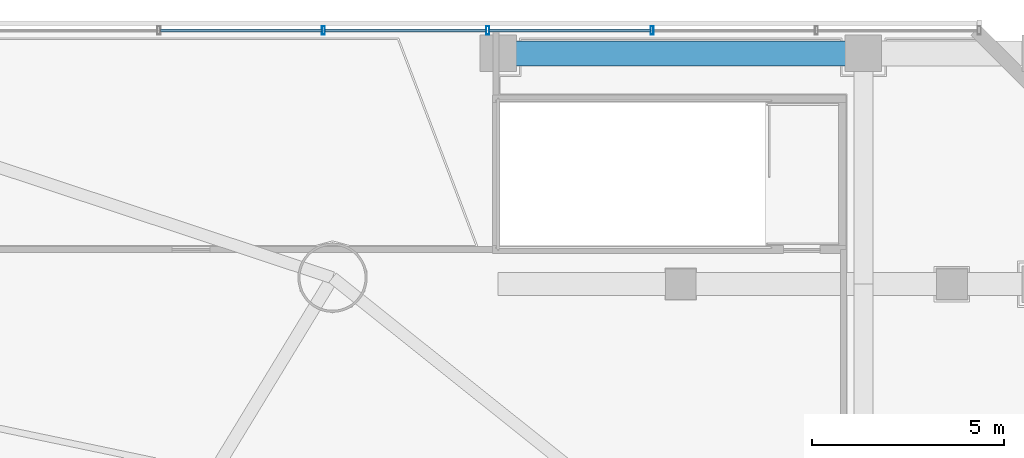
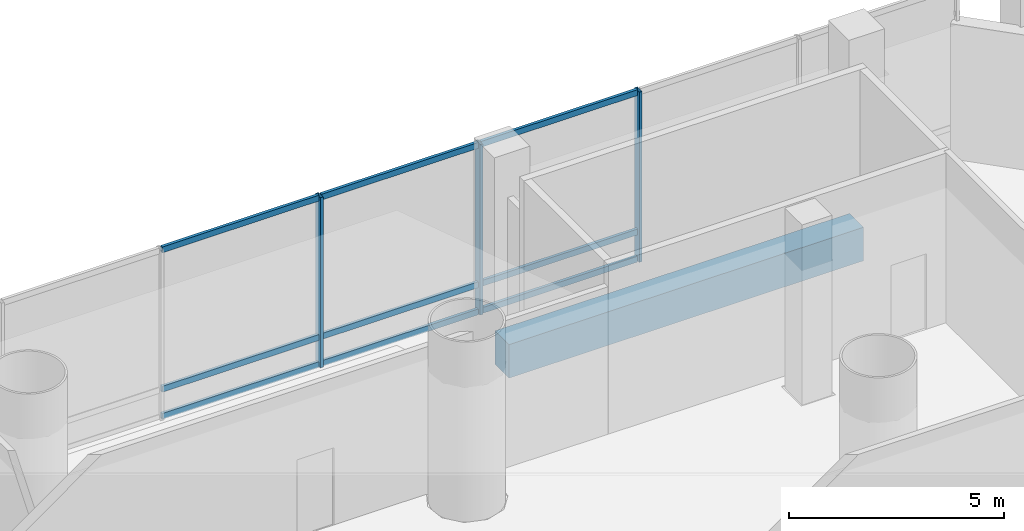
# One storey, part 15 of 31: 12 members, 1 beam, 1 element without a shape of its own.
"""IFC4 building model written with IfcOpenShell, lengths in metres."""

import ifcopenshell
import ifcopenshell.guid

model = None  # the IFC model being written
_history = None  # IfcOwnerHistory: only IFC2X3 demands one
_inside = {}  # id of a spatial element -> (the spatial element, [elements in it])
_under = {}  # id of a project, library or spatial element -> (it, [spatial elements below it])
_declared = {}  # id of a project -> (the project, [libraries it declares])
_typed = {}  # id of a type object -> (the type object, [elements of that type])
_made_of = {}  # id of a material, layer set ... -> (it, [elements and type objects made of it])


def new_model(schema):
    """Start an empty IFC model of exactly this schema.

    Asked for "IFC4X3", IfcOpenShell would pick the latest addendum, in which some entities
    have other attributes; the version numbers below select the first issue.
    IFC2X3 requires an IfcOwnerHistory on every rooted entity: one is made here for all.
    """
    global model, _history
    if schema == "IFC4X3":
        model = ifcopenshell.file(schema_version=(4, 3, 0, 0))
    else:
        model = ifcopenshell.file(schema=schema)
    _inside.clear()
    _under.clear()
    _declared.clear()
    _typed.clear()
    _made_of.clear()
    _history = None
    if model.schema == "IFC2X3":
        org = make("IfcOrganization", Name="unknown")
        user = make(
            "IfcPersonAndOrganization",
            ThePerson=make("IfcPerson", FamilyName="unknown"),
            TheOrganization=org,
        )
        app = make(
            "IfcApplication",
            ApplicationDeveloper=org,
            Version="unknown",
            ApplicationFullName="unknown",
            ApplicationIdentifier="unknown",
        )
        _history = make(
            "IfcOwnerHistory",
            OwningUser=user,
            OwningApplication=app,
            ChangeAction="ADDED",
            CreationDate=0,
        )
    return model


def make(cls, **values):
    """One entity of the class cls with the attributes given. An attribute that is None is left unset."""
    return model.create_entity(
        cls, **{name: value for name, value in values.items() if value is not None}
    )


def rooted(cls, **values):
    """An entity with a GlobalId (a new one), such as an element, a storey or a relation."""
    return make(cls, GlobalId=ifcopenshell.guid.new(), OwnerHistory=_history, **values)


def si_unit(unit_type, name, prefix=None):
    """IfcSIUnit, for example si_unit("LENGTHUNIT", "METRE", prefix="MILLI")."""
    return make("IfcSIUnit", UnitType=unit_type, Prefix=prefix, Name=name)


def assignment(units):
    """IfcUnitAssignment: the units of a project."""
    return None if units is None else make("IfcUnitAssignment", Units=units)


def point(xyz):
    """IfcCartesianPoint."""
    return None if xyz is None else make("IfcCartesianPoint", Coordinates=xyz)


def direction(xyz):
    """IfcDirection."""
    return None if xyz is None else make("IfcDirection", DirectionRatios=xyz)


def frame(location, z_axis=None, x_axis=None):
    """IfcAxis2Placement3D, a coordinate frame: its origin and axes. An axis left out is left unset."""
    return make(
        "IfcAxis2Placement3D",
        Location=point(location),
        Axis=direction(z_axis),
        RefDirection=direction(x_axis),
    )


def frame_2d(location, x_axis=None):
    """IfcAxis2Placement2D, a coordinate frame in the plane: its origin and x axis."""
    return make(
        "IfcAxis2Placement2D", Location=point(location), RefDirection=direction(x_axis)
    )


def origin():
    """The frame at (0, 0, 0) with its axes left unset."""
    return frame((0.0, 0.0, 0.0))


def origin_2d():
    """The frame at (0, 0) in the plane with its x axis left unset."""
    return frame_2d((0.0, 0.0))


def place(relative_to, where):
    """IfcLocalPlacement: puts the frame where relative to a parent placement (None: the world)."""
    return make(
        "IfcLocalPlacement", PlacementRelTo=relative_to, RelativePlacement=where
    )


def context(
    kind, dimensions, precision=None, world=None, true_north=None, identifier=None
):
    """IfcGeometricRepresentationContext, for example the 3D "Model" context."""
    return make(
        "IfcGeometricRepresentationContext",
        ContextIdentifier=identifier,
        ContextType=kind,
        CoordinateSpaceDimension=dimensions,
        Precision=precision,
        WorldCoordinateSystem=world,
        TrueNorth=true_north,
    )


def subcontext(parent, identifier, kind, view, scale=None):
    """IfcGeometricRepresentationSubContext, for example "Body" below "Model"."""
    return make(
        "IfcGeometricRepresentationSubContext",
        ContextIdentifier=identifier,
        ContextType=kind,
        ParentContext=parent,
        TargetScale=scale,
        TargetView=view,
    )


def project(units=None, contexts=None):
    """IfcProject with its units and contexts."""
    return rooted(
        "IfcProject",
        Name="project",
        RepresentationContexts=contexts,
        UnitsInContext=assignment(units),
    )


def spatial(cls, under=None, at=None, **own):
    """A site, building, storey or space (cls), placed at a placement, below another one or the project."""
    s = rooted(cls, ObjectPlacement=at, **own)
    if under is not None:
        _under.setdefault(under.id(), (under, []))[1].append(s)
    return s


def profile(cls, at=None, kind="AREA", **sizes):
    """A parametric profile (cls). Its sizes go by their IFC names, for example OverallWidth=200.0."""
    return make(cls, ProfileType=kind, Position=at, **sizes)


def rectangle(**sizes):
    """IfcRectangleProfileDef."""
    return profile("IfcRectangleProfileDef", **sizes)


def hollow_rectangle(**sizes):
    """IfcRectangleHollowProfileDef."""
    return profile("IfcRectangleHollowProfileDef", **sizes)


def extrude(swept, where, along, depth):
    """IfcExtrudedAreaSolid: the profile swept, set in the frame where, extruded along a direction by depth."""
    return make(
        "IfcExtrudedAreaSolid",
        SweptArea=swept,
        Position=where,
        ExtrudedDirection=direction(along),
        Depth=depth,
    )


def shape(context_of_items, identifier, shape_type, items):
    """IfcShapeRepresentation: the items that make up one representation, for example the "Body"."""
    return make(
        "IfcShapeRepresentation",
        ContextOfItems=context_of_items,
        RepresentationIdentifier=identifier,
        RepresentationType=shape_type,
        Items=items,
    )


def source(mapping_origin, context_of_items, identifier, shape_type, items):
    """IfcRepresentationMap: a shape defined once, which mapped items show again and again."""
    return make(
        "IfcRepresentationMap",
        MappingOrigin=mapping_origin,
        MappedRepresentation=shape(context_of_items, identifier, shape_type, items),
    )


def transform(
    local_origin,
    x_axis=None,
    y_axis=None,
    z_axis=None,
    scale=None,
    scale2=None,
    scale3=None,
    uniform=True,
):
    """IfcCartesianTransformationOperator3D, or its non-uniform kind. x_axis, y_axis, z_axis: its Axis1, 2, 3."""
    if uniform:
        return make(
            "IfcCartesianTransformationOperator3D",
            Axis1=direction(x_axis),
            Axis2=direction(y_axis),
            LocalOrigin=point(local_origin),
            Scale=scale,
            Axis3=direction(z_axis),
        )
    return make(
        "IfcCartesianTransformationOperator3DnonUniform",
        Axis1=direction(x_axis),
        Axis2=direction(y_axis),
        LocalOrigin=point(local_origin),
        Scale=scale,
        Axis3=direction(z_axis),
        Scale2=scale2,
        Scale3=scale3,
    )


def mapped(mapping_source, mapping_target):
    """IfcMappedItem: shows the shape of a source again, moved by a transform."""
    return make(
        "IfcMappedItem", MappingSource=mapping_source, MappingTarget=mapping_target
    )


def material(Name=None, Category=None):
    """IfcMaterial."""
    return make("IfcMaterial", Name=Name, Category=Category)


def material_profile(
    of_material, cross_section, Name=None, Category=None, Priority=None
):
    """IfcMaterialProfile: a cross section and its material."""
    return make(
        "IfcMaterialProfile",
        Name=Name,
        Material=of_material,
        Profile=cross_section,
        Priority=Priority,
        Category=Category,
    )


def profile_set(profiles, Name=None, composite=None):
    """IfcMaterialProfileSet."""
    return make(
        "IfcMaterialProfileSet",
        Name=Name,
        MaterialProfiles=profiles,
        CompositeProfile=composite,
    )


def made_of(thing, what):
    """Note that an element or type object is made of a material, layer set ...; save() writes the relation."""
    if what is not None:
        _made_of.setdefault(what.id(), (what, []))[1].append(thing)
    return thing


def type_object(cls, material=None, **own):
    """A type object (cls), such as IfcWallType, which elements share."""
    return made_of(rooted(cls, **own), material)


def element(
    cls,
    number,
    at=None,
    inside=None,
    cuts=None,
    type_object=None,
    material=None,
    context=None,
    identifier="Body",
    shape_type=None,
    held_by="IfcProductDefinitionShape",
    body=None,
    shapes=None,
    **own,
):
    """One element of the class cls, such as IfcWall. Its Tag is "e" and its number.

    at: its placement. inside: the storey or other place that contains it. cuts: it is an
    opening in that element (IfcRelVoidsElement). A single representation is given by context,
    identifier, shape_type and body (its items); several are given by shapes. held_by: the class
    of the entity that holds the representations. save() writes the other relations.
    """
    e = rooted(cls, Tag="e%d" % number, ObjectPlacement=at, **own)
    if body is not None:
        shapes = [shape(context, identifier, shape_type, body)]
    if shapes is not None:
        e.Representation = make(held_by, Representations=shapes)
    if inside is not None:
        _inside.setdefault(inside.id(), (inside, []))[1].append(e)
    if cuts is not None:
        rooted(
            "IfcRelVoidsElement", RelatingBuildingElement=cuts, RelatedOpeningElement=e
        )
    if type_object is not None:
        _typed.setdefault(type_object.id(), (type_object, []))[1].append(e)
    return made_of(e, material)


def aggregate(whole, parts):
    """IfcRelAggregates: a whole, such as a stair, and the parts it consists of."""
    return rooted("IfcRelAggregates", RelatingObject=whole, RelatedObjects=parts)


def save(model, path):
    """Write the relations noted so far, then the file.

    IfcRelAggregates (storeys below a building ...), IfcRelContainedInSpatialStructure (elements
    in a storey), IfcRelDefinesByType, IfcRelAssociatesMaterial and IfcRelDeclares: one each for
    every whole, place, type object, material and project.
    """
    for whole, parts in _under.values():
        aggregate(whole, parts)
    for where, things in _inside.values():
        rooted(
            "IfcRelContainedInSpatialStructure",
            RelatedElements=things,
            RelatingStructure=where,
        )
    for kind, things in _typed.values():
        rooted("IfcRelDefinesByType", RelatedObjects=things, RelatingType=kind)
    for what, things in _made_of.values():
        rooted("IfcRelAssociatesMaterial", RelatedObjects=things, RelatingMaterial=what)
    for by, libraries in _declared.values():
        rooted("IfcRelDeclares", RelatingContext=by, RelatedDefinitions=libraries)
    model.write(path)


model = new_model("IFC4")

# Units and contexts
model_context = context("Model", 3, precision=1e-05, world=origin(), true_north=direction((-0.2419218956, 0.970295726276)))
body_context = subcontext(model_context, "Body", "Model", "MODEL_VIEW")
ifc_project = project(units=[si_unit("LENGTHUNIT", "METRE"), si_unit("AREAUNIT", "SQUARE_METRE"), si_unit("VOLUMEUNIT", "CUBIC_METRE"), si_unit("PLANEANGLEUNIT", "RADIAN"), si_unit("MASSUNIT", "GRAM", prefix="KILO")], contexts=[model_context])

# Site, building, storey
site_placement = place(None, origin())
site = spatial("IfcSite", under=ifc_project, at=site_placement, CompositionType="ELEMENT")
building_placement = place(site_placement, origin())
building = spatial("IfcBuilding", under=site, at=building_placement, Name="Cobrevalo Terracotta Tower", CompositionType="ELEMENT")
storey_placement = place(building_placement, frame((0.0, 0.0, 18.89990234375)))
storey = spatial("IfcBuildingStorey", under=building, at=storey_placement, Name="L04", CompositionType="ELEMENT", Elevation=18.89990234375)

# Beam
ifc_material_1 = material(Name="Concrete C50", Category="concrete")
ifc_material_profile_1 = material_profile(ifc_material_1, rectangle(XDim=0.64990234375, YDim=0.949951171875, at=origin_2d()), Name="RC BM 650x950")
ifc_profile_set_1 = profile_set([ifc_material_profile_1], Name="Concrete C50")
beam_type = type_object("IfcBeamType", Name="Structural Spandrel RC BM 650x950 (Concrete C50)", PredefinedType="SPANDREL", material=ifc_profile_set_1)
beam_placement = place(storey_placement, frame((57.5, 50.800048828125, -0.9248046875), z_axis=(1.0, 0.0, 0.0), x_axis=(0.0, 1.0, 0.0)))
element("IfcBeam", 1, at=beam_placement, inside=storey, type_object=beam_type, Name="L04 podium grid beam G7-GG to G8-GG", PredefinedType="SPANDREL", context=body_context, shape_type="SweptSolid", body=[
    extrude(rectangle(XDim=0.64990234375, YDim=0.949951171875, at=origin_2d()), origin(), (0.0, 0.0, 1.0), 9.5),
])

# Curtain wall, members
ifc_material_2 = material(Name="Anodized aluminium", Category="aluminium")
curtain_wall_type = type_object("IfcCurtainWallType", Name="Podium gallery & conservatory curtain wall CW-S2", PredefinedType="NOTDEFINED", material=ifc_material_2)
curtain_wall_placement = place(storey_placement, origin())
curtain_wall = element("IfcCurtainWall", 2, at=curtain_wall_placement, inside=storey, type_object=curtain_wall_type, Name="L04 curtain wall CW-POD-L04-N", PredefinedType="NOTDEFINED")
ifc_material_profile_2 = material_profile(ifc_material_2, hollow_rectangle(XDim=0.080078125, YDim=0.1650390625, WallThickness=0.00439453125, at=origin_2d()), Name="CWT 80x165")
ifc_profile_set_2 = profile_set([ifc_material_profile_2], Name="Anodized aluminium")
member_type_1 = type_object("IfcMemberType", Name="Storefront & atrium aluminium transom 80x165", PredefinedType="USERDEFINED", material=ifc_profile_set_2)
shared_shape_1 = source(origin(), body_context, "Body", "SweptSolid", [
    extrude(hollow_rectangle(XDim=0.080078125, YDim=0.1650390625, WallThickness=0.00439453125, at=origin_2d()), origin(), (0.0, 0.0, 1.0), 4.193359375),
])
member_1_placement = place(storey_placement, frame((61.46337890625, 51.39990234375, 0.050048828125), z_axis=(-1.0, 0.0, 0.0), x_axis=(0.0, -1.0, 0.0)))
member_1 = element("IfcMember", 3, at=member_1_placement, type_object=member_type_1, Name="CW-POD-L04-N transom B03-T1", ObjectType="TRANSOM", PredefinedType="USERDEFINED", context=body_context, shape_type="MappedRepresentation", body=[
    mapped(shared_shape_1, transform((0.0, 0.0, 0.0), scale=1.0)),
])
member_2_placement = place(storey_placement, frame((61.46337890625, 51.39990234375, 0.820068359375), z_axis=(-1.0, 0.0, 0.0), x_axis=(0.0, -1.0, 0.0)))
member_2 = element("IfcMember", 4, at=member_2_placement, type_object=member_type_1, Name="CW-POD-L04-N transom B03-T2", ObjectType="TRANSOM", PredefinedType="USERDEFINED", context=body_context, shape_type="MappedRepresentation", body=[
    mapped(shared_shape_1, transform((0.0, 0.0, 0.0), scale=1.0)),
])
member_3_placement = place(storey_placement, frame((61.46337890625, 51.39990234375, 4.77001953125), z_axis=(-1.0, 0.0, 0.0), x_axis=(0.0, -1.0, 0.0)))
member_3 = element("IfcMember", 5, at=member_3_placement, type_object=member_type_1, Name="CW-POD-L04-N transom B03-T3", ObjectType="TRANSOM", PredefinedType="USERDEFINED", context=body_context, shape_type="MappedRepresentation", body=[
    mapped(shared_shape_1, transform((0.0, 0.0, 0.0), scale=1.0)),
])
member_4_placement = place(storey_placement, frame((57.18994140625, 51.39990234375, 0.050048828125), z_axis=(-1.0, 0.0, 0.0), x_axis=(0.0, -1.0, 0.0)))
member_4 = element("IfcMember", 6, at=member_4_placement, type_object=member_type_1, Name="CW-POD-L04-N transom B04-T1", ObjectType="TRANSOM", PredefinedType="USERDEFINED", context=body_context, shape_type="MappedRepresentation", body=[
    mapped(shared_shape_1, transform((0.0, 0.0, 0.0), scale=1.0)),
])
member_5_placement = place(storey_placement, frame((57.18994140625, 51.39990234375, 0.820068359375), z_axis=(-1.0, 0.0, 0.0), x_axis=(0.0, -1.0, 0.0)))
member_5 = element("IfcMember", 7, at=member_5_placement, type_object=member_type_1, Name="CW-POD-L04-N transom B04-T2", ObjectType="TRANSOM", PredefinedType="USERDEFINED", context=body_context, shape_type="MappedRepresentation", body=[
    mapped(shared_shape_1, transform((0.0, 0.0, 0.0), scale=1.0)),
])
member_6_placement = place(storey_placement, frame((57.18994140625, 51.39990234375, 4.77001953125), z_axis=(-1.0, 0.0, 0.0), x_axis=(0.0, -1.0, 0.0)))
member_6 = element("IfcMember", 8, at=member_6_placement, type_object=member_type_1, Name="CW-POD-L04-N transom B04-T3", ObjectType="TRANSOM", PredefinedType="USERDEFINED", context=body_context, shape_type="MappedRepresentation", body=[
    mapped(shared_shape_1, transform((0.0, 0.0, 0.0), scale=1.0)),
])
member_7_placement = place(storey_placement, frame((52.916748046875, 51.39990234375, 0.050048828125), z_axis=(-1.0, 0.0, 0.0), x_axis=(0.0, -1.0, 0.0)))
member_7 = element("IfcMember", 9, at=member_7_placement, type_object=member_type_1, Name="CW-POD-L04-N transom B05-T1", ObjectType="TRANSOM", PredefinedType="USERDEFINED", context=body_context, shape_type="MappedRepresentation", body=[
    mapped(shared_shape_1, transform((0.0, 0.0, 0.0), scale=1.0)),
])
member_8_placement = place(storey_placement, frame((52.916748046875, 51.39990234375, 0.820068359375), z_axis=(-1.0, 0.0, 0.0), x_axis=(0.0, -1.0, 0.0)))
member_8 = element("IfcMember", 10, at=member_8_placement, type_object=member_type_1, Name="CW-POD-L04-N transom B05-T2", ObjectType="TRANSOM", PredefinedType="USERDEFINED", context=body_context, shape_type="MappedRepresentation", body=[
    mapped(shared_shape_1, transform((0.0, 0.0, 0.0), scale=1.0)),
])
member_9_placement = place(storey_placement, frame((52.916748046875, 51.39990234375, 4.77001953125), z_axis=(-1.0, 0.0, 0.0), x_axis=(0.0, -1.0, 0.0)))
member_9 = element("IfcMember", 11, at=member_9_placement, type_object=member_type_1, Name="CW-POD-L04-N transom B05-T3", ObjectType="TRANSOM", PredefinedType="USERDEFINED", context=body_context, shape_type="MappedRepresentation", body=[
    mapped(shared_shape_1, transform((0.0, 0.0, 0.0), scale=1.0)),
])
ifc_material_profile_3 = material_profile(ifc_material_2, hollow_rectangle(XDim=0.080078125, YDim=0.219970703125, WallThickness=0.0048828125, at=origin_2d()), Name="CWM 80x220")
ifc_profile_set_3 = profile_set([ifc_material_profile_3], Name="Anodized aluminium")
member_type_2 = type_object("IfcMemberType", Name="Storefront & atrium aluminium mullion 80x220", PredefinedType="MULLION", material=ifc_profile_set_3)
shared_shape_2 = source(origin(), body_context, "Body", "SweptSolid", [
    extrude(hollow_rectangle(XDim=0.080078125, YDim=0.219970703125, WallThickness=0.0048828125, at=origin_2d()), origin(), (0.0, 0.0, 1.0), 4.820068359375),
])
member_10_placement = place(storey_placement, frame((61.50341796875, 51.39990234375, 0.0), z_axis=(0.0, 0.0, 1.0), x_axis=(-1.0, 0.0, 0.0)))
member_10 = element("IfcMember", 12, at=member_10_placement, type_object=member_type_2, Name="CW-POD-L04-N vertical mullion 03", PredefinedType="MULLION", context=body_context, shape_type="MappedRepresentation", body=[
    mapped(shared_shape_2, transform((0.0, 0.0, 0.0), scale=1.0)),
])
member_11_placement = place(storey_placement, frame((57.22998046875, 51.39990234375, 0.0), z_axis=(0.0, 0.0, 1.0), x_axis=(-1.0, 0.0, 0.0)))
member_11 = element("IfcMember", 13, at=member_11_placement, type_object=member_type_2, Name="CW-POD-L04-N vertical mullion 04", PredefinedType="MULLION", context=body_context, shape_type="MappedRepresentation", body=[
    mapped(shared_shape_2, transform((0.0, 0.0, 0.0), scale=1.0)),
])
member_12_placement = place(storey_placement, frame((52.956787109375, 51.39990234375, 0.0), z_axis=(0.0, 0.0, 1.0), x_axis=(-1.0, 0.0, 0.0)))
member_12 = element("IfcMember", 14, at=member_12_placement, type_object=member_type_2, Name="CW-POD-L04-N vertical mullion 05", PredefinedType="MULLION", context=body_context, shape_type="MappedRepresentation", body=[
    mapped(shared_shape_2, transform((0.0, 0.0, 0.0), scale=1.0)),
])
aggregate(curtain_wall, [member_10, member_11, member_12, member_1, member_2, member_3, member_4, member_5, member_6, member_7, member_8, member_9])

save(model, "model.ifc")
